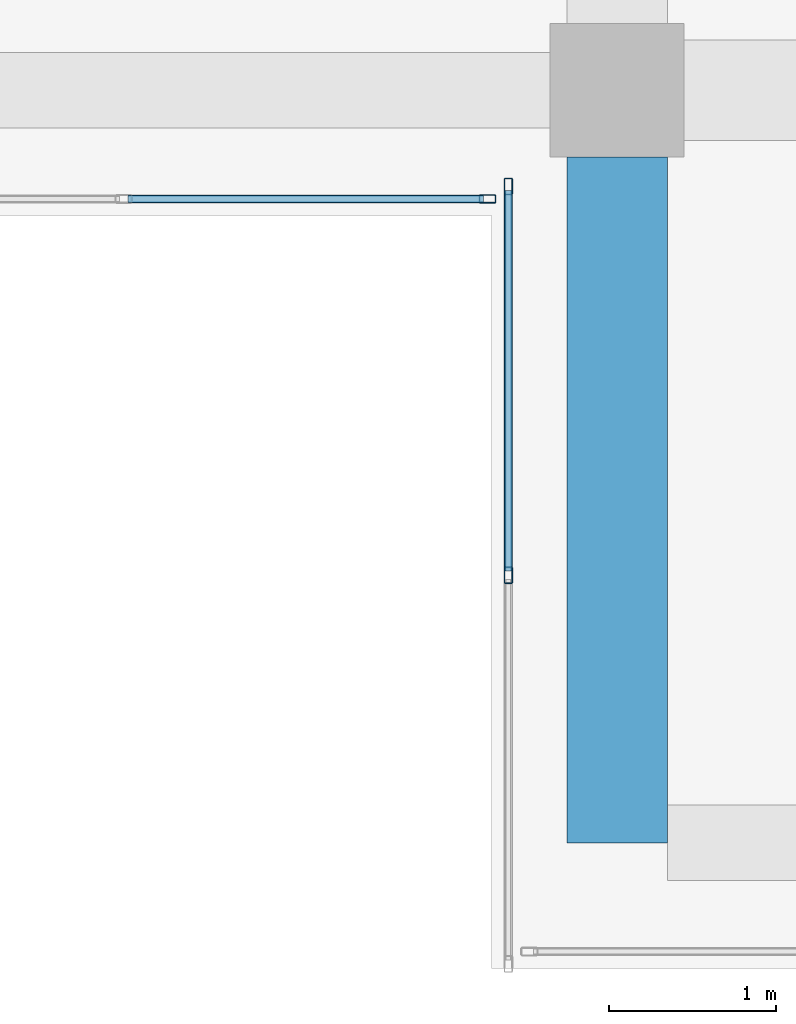
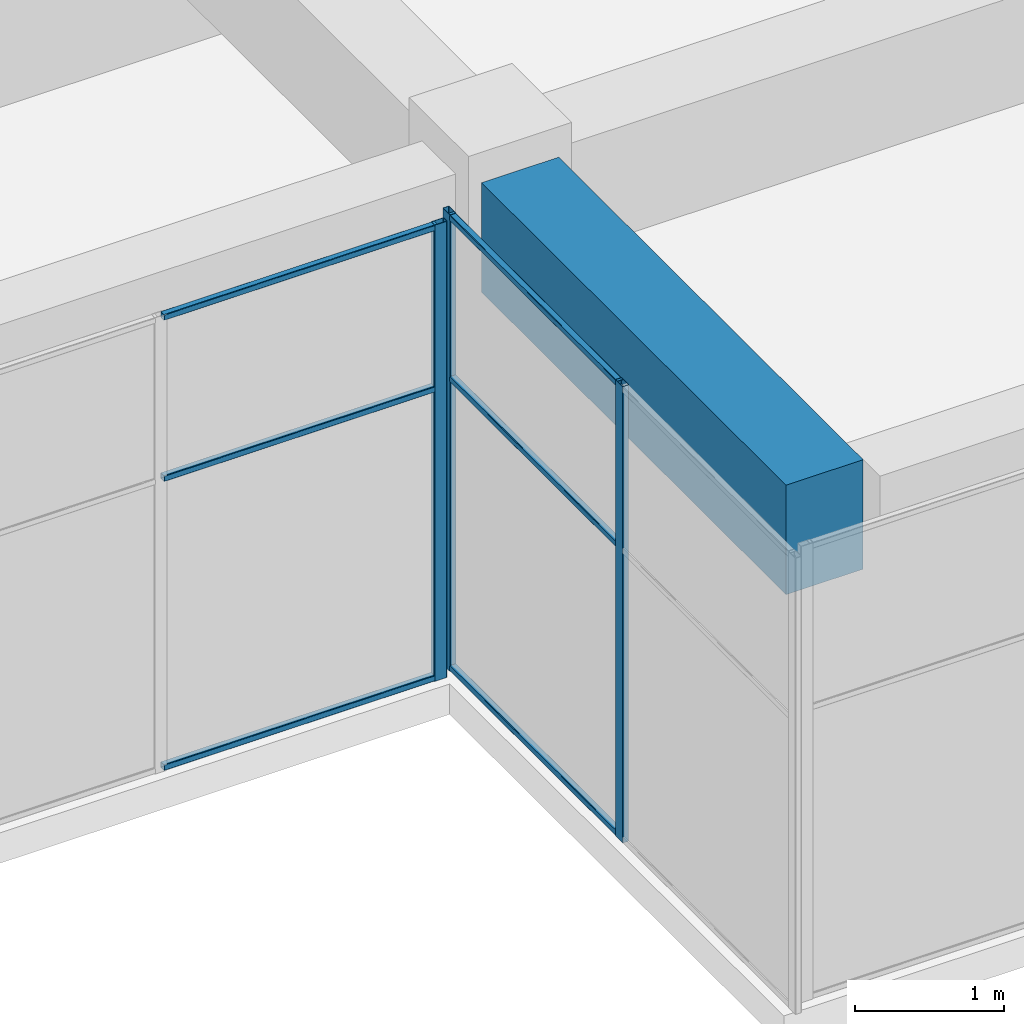
# One storey, part 19 of 66: 9 members, 1 beam, 2 elements without a shape of their own.
"""IFC4 building model written with IfcOpenShell, lengths in metres."""

from ifc_helpers import new_model, si_unit, direction, frame, origin, origin_2d, place, context, subcontext, project, spatial, rectangle, hollow_rectangle, extrude, material, layer, layer_set, material_profile, profile_set, type_object, element, aggregate, save


model = new_model("IFC4")

# Units and contexts
model_context = context("Model", 3, precision=1e-05, world=origin(), true_north=direction((0.0, 1.0)))
body_context = subcontext(model_context, "Body", "Model", "MODEL_VIEW")
ifc_project = project(units=[si_unit("LENGTHUNIT", "METRE"), si_unit("AREAUNIT", "SQUARE_METRE"), si_unit("VOLUMEUNIT", "CUBIC_METRE"), si_unit("PLANEANGLEUNIT", "RADIAN"), si_unit("MASSUNIT", "GRAM", prefix="KILO")], contexts=[model_context])

# Site, building, storey
site_placement = place(None, origin())
site = spatial("IfcSite", under=ifc_project, at=site_placement, CompositionType="ELEMENT")
building_placement = place(site_placement, origin())
building = spatial("IfcBuilding", under=site, at=building_placement, Name="Tuart Plaza Theatre", CompositionType="ELEMENT")
storey_placement = place(building_placement, frame((0.0, 0.0, 5.5)))
storey = spatial("IfcBuildingStorey", under=building, at=storey_placement, Name="L01", CompositionType="ELEMENT", Elevation=5.5)

# Beam
ifc_material_1 = material(Name="Concrete N40 (40 MPa)", Category="concrete")
ifc_material_profile_1 = material_profile(ifc_material_1, rectangle(XDim=0.60009765625, YDim=0.89990234375, at=origin_2d()), Name="BEAM 600x900 Concrete N40 (40 MPa)")
ifc_profile_set_1 = profile_set([ifc_material_profile_1], Name="Concrete N40 (40 MPa)")
beam_type = type_object("IfcBeamType", Name="BEAM 600x900 Concrete N40 (40 MPa)", PredefinedType="BEAM", material=ifc_profile_set_1)
beam_placement = place(storey_placement, frame((123.0, 51.5, 3.300048828125), z_axis=(0.0, 1.0, 0.0), x_axis=(-1.0, 0.0, 0.0)))
element("IfcBeam", 1, at=beam_placement, inside=storey, type_object=beam_type, Name="RB173", PredefinedType="BEAM", context=body_context, shape_type="SweptSolid", body=[
    extrude(rectangle(XDim=0.60009765625, YDim=0.89990234375, at=origin_2d()), origin(), (0.0, 0.0, 1.0), 4.10009765625),
])

# Curtain wall, members
ifc_material_2 = material(Name="Aluminium and glass", Category="aluminium")
ifc_layer = layer(ifc_material_2, 0.10009765625)
ifc_layer_set = layer_set([ifc_layer], Name="CURTAIN WALL 2000 module")
curtain_wall_type = type_object("IfcCurtainWallType", Name="CURTAIN WALL 2000 module", PredefinedType="NOTDEFINED", material=ifc_layer_set)
curtain_wall_1_placement = place(storey_placement, origin())
curtain_wall_1 = element("IfcCurtainWall", 2, at=curtain_wall_1_placement, inside=storey, type_object=curtain_wall_type, Name="CW67", PredefinedType="NOTDEFINED")
ifc_material_3 = material(Name="Aluminium 6063-T5", Category="aluminium")
ifc_material_profile_2 = material_profile(ifc_material_3, hollow_rectangle(XDim=0.050048828125, YDim=0.10009765625, WallThickness=0.00390625, InnerFilletRadius=0.00390625, OuterFilletRadius=0.008056640625, at=origin_2d()), Name="RHS 100x50x4")
ifc_profile_set_2 = profile_set([ifc_material_profile_2], Name="Aluminium 6063-T5")
member_type_1 = type_object("IfcMemberType", Name="MULLION RHS 100x50x4", PredefinedType="MULLION", material=ifc_profile_set_2)
member_1_placement = place(storey_placement, frame((122.35009765625, 55.425048828125, 0.0), z_axis=(0.0, 0.0, 1.0), x_axis=(1.0, 0.0, 0.0)))
member_1 = element("IfcMember", 3, at=member_1_placement, type_object=member_type_1, Name="CW67 mullion 1", PredefinedType="MULLION", context=body_context, shape_type="SweptSolid", body=[
    extrude(hollow_rectangle(XDim=0.050048828125, YDim=0.10009765625, WallThickness=0.00390625, InnerFilletRadius=0.00390625, OuterFilletRadius=0.008056640625, at=origin_2d()), origin(), (0.0, 0.0, 1.0), 3.75),
])
member_2_placement = place(storey_placement, frame((122.35009765625, 53.10009765625, 0.0), z_axis=(0.0, 0.0, 1.0), x_axis=(1.0, 0.0, 0.0)))
member_2 = element("IfcMember", 4, at=member_2_placement, type_object=member_type_1, Name="CW67 mullion 2", PredefinedType="MULLION", context=body_context, shape_type="SweptSolid", body=[
    extrude(hollow_rectangle(XDim=0.050048828125, YDim=0.10009765625, WallThickness=0.00390625, InnerFilletRadius=0.00390625, OuterFilletRadius=0.008056640625, at=origin_2d()), origin(), (0.0, 0.0, 1.0), 3.75),
])

# Curtain wall, member
curtain_wall_2_placement = place(storey_placement, origin())
curtain_wall_2 = element("IfcCurtainWall", 5, at=curtain_wall_2_placement, inside=storey, type_object=curtain_wall_type, Name="CW74", PredefinedType="NOTDEFINED")
member_3_placement = place(storey_placement, frame((122.22509765625, 55.35009765625, 0.0), z_axis=(0.0, 0.0, 1.0), x_axis=(0.0, 1.0, 0.0)))
member_3 = element("IfcMember", 6, at=member_3_placement, type_object=member_type_1, Name="CW74 mullion 5", PredefinedType="MULLION", context=body_context, shape_type="SweptSolid", body=[
    extrude(hollow_rectangle(XDim=0.050048828125, YDim=0.10009765625, WallThickness=0.00390625, InnerFilletRadius=0.00390625, OuterFilletRadius=0.008056640625, at=origin_2d()), origin(), (0.0, 0.0, 1.0), 3.75),
])

# Member
ifc_material_4 = material(Name="Aluminium 6063-T5", Category="aluminium")
ifc_material_profile_3 = material_profile(ifc_material_4, hollow_rectangle(XDim=0.050048828125, YDim=0.050048828125, WallThickness=0.00390625, InnerFilletRadius=0.00390625, OuterFilletRadius=0.008056640625, at=origin_2d()), Name="RHS 50x50x4")
ifc_profile_set_3 = profile_set([ifc_material_profile_3], Name="Aluminium 6063-T5")
member_type_2 = type_object("IfcMemberType", Name="TRANSOM RHS 50x50x4", PredefinedType="USERDEFINED", material=ifc_profile_set_3)
member_4_placement = place(storey_placement, frame((122.35009765625, 55.39990234375, 0.02490234375), z_axis=(0.0, -1.0, 0.0), x_axis=(1.0, 0.0, 0.0)))
member_4 = element("IfcMember", 7, at=member_4_placement, type_object=member_type_2, Name="CW67 transom 1.1", ObjectType="TRANSOM", PredefinedType="USERDEFINED", context=body_context, shape_type="SweptSolid", body=[
    extrude(hollow_rectangle(XDim=0.050048828125, YDim=0.050048828125, WallThickness=0.00390625, InnerFilletRadius=0.00390625, OuterFilletRadius=0.008056640625, at=origin_2d()), origin(), (0.0, 0.0, 1.0), 2.27490234375),
])

member_5_placement = place(storey_placement, frame((122.35009765625, 55.39990234375, 2.39990234375), z_axis=(0.0, -1.0, 0.0), x_axis=(1.0, 0.0, 0.0)))
member_5 = element("IfcMember", 8, at=member_5_placement, type_object=member_type_2, Name="CW67 transom 1.2", ObjectType="TRANSOM", PredefinedType="USERDEFINED", context=body_context, shape_type="SweptSolid", body=[
    extrude(hollow_rectangle(XDim=0.050048828125, YDim=0.050048828125, WallThickness=0.00390625, InnerFilletRadius=0.00390625, OuterFilletRadius=0.008056640625, at=origin_2d()), origin(), (0.0, 0.0, 1.0), 2.27490234375),
])

member_6_placement = place(storey_placement, frame((122.35009765625, 55.39990234375, 3.72509765625), z_axis=(0.0, -1.0, 0.0), x_axis=(1.0, 0.0, 0.0)))
member_6 = element("IfcMember", 9, at=member_6_placement, type_object=member_type_2, Name="CW67 transom 1.3", ObjectType="TRANSOM", PredefinedType="USERDEFINED", context=body_context, shape_type="SweptSolid", body=[
    extrude(hollow_rectangle(XDim=0.050048828125, YDim=0.050048828125, WallThickness=0.00390625, InnerFilletRadius=0.00390625, OuterFilletRadius=0.008056640625, at=origin_2d()), origin(), (0.0, 0.0, 1.0), 2.27490234375),
])

aggregate(curtain_wall_1, [member_1, member_2, member_4, member_5, member_6])

member_7_placement = place(storey_placement, frame((120.074951171875, 55.35009765625, 0.02490234375), z_axis=(1.0, 0.0, 0.0), x_axis=(0.0, 1.0, 0.0)))
member_7 = element("IfcMember", 10, at=member_7_placement, type_object=member_type_2, Name="CW74 transom 4.1", ObjectType="TRANSOM", PredefinedType="USERDEFINED", context=body_context, shape_type="SweptSolid", body=[
    extrude(hollow_rectangle(XDim=0.050048828125, YDim=0.050048828125, WallThickness=0.00390625, InnerFilletRadius=0.00390625, OuterFilletRadius=0.008056640625, at=origin_2d()), origin(), (0.0, 0.0, 1.0), 2.125),
])

member_8_placement = place(storey_placement, frame((120.074951171875, 55.35009765625, 2.39990234375), z_axis=(1.0, 0.0, 0.0), x_axis=(0.0, 1.0, 0.0)))
member_8 = element("IfcMember", 11, at=member_8_placement, type_object=member_type_2, Name="CW74 transom 4.2", ObjectType="TRANSOM", PredefinedType="USERDEFINED", context=body_context, shape_type="SweptSolid", body=[
    extrude(hollow_rectangle(XDim=0.050048828125, YDim=0.050048828125, WallThickness=0.00390625, InnerFilletRadius=0.00390625, OuterFilletRadius=0.008056640625, at=origin_2d()), origin(), (0.0, 0.0, 1.0), 2.125),
])

member_9_placement = place(storey_placement, frame((120.074951171875, 55.35009765625, 3.72509765625), z_axis=(1.0, 0.0, 0.0), x_axis=(0.0, 1.0, 0.0)))
member_9 = element("IfcMember", 12, at=member_9_placement, type_object=member_type_2, Name="CW74 transom 4.3", ObjectType="TRANSOM", PredefinedType="USERDEFINED", context=body_context, shape_type="SweptSolid", body=[
    extrude(hollow_rectangle(XDim=0.050048828125, YDim=0.050048828125, WallThickness=0.00390625, InnerFilletRadius=0.00390625, OuterFilletRadius=0.008056640625, at=origin_2d()), origin(), (0.0, 0.0, 1.0), 2.125),
])

aggregate(curtain_wall_2, [member_3, member_7, member_8, member_9])

save(model, "model.ifc")
